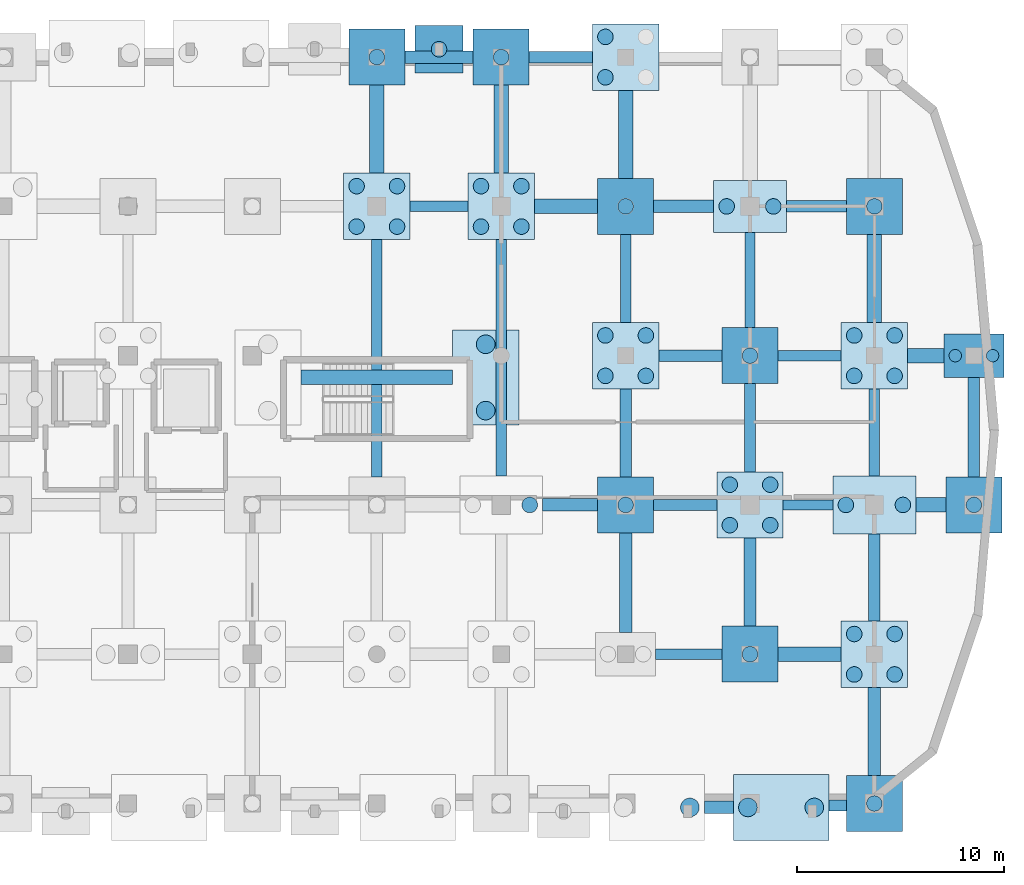
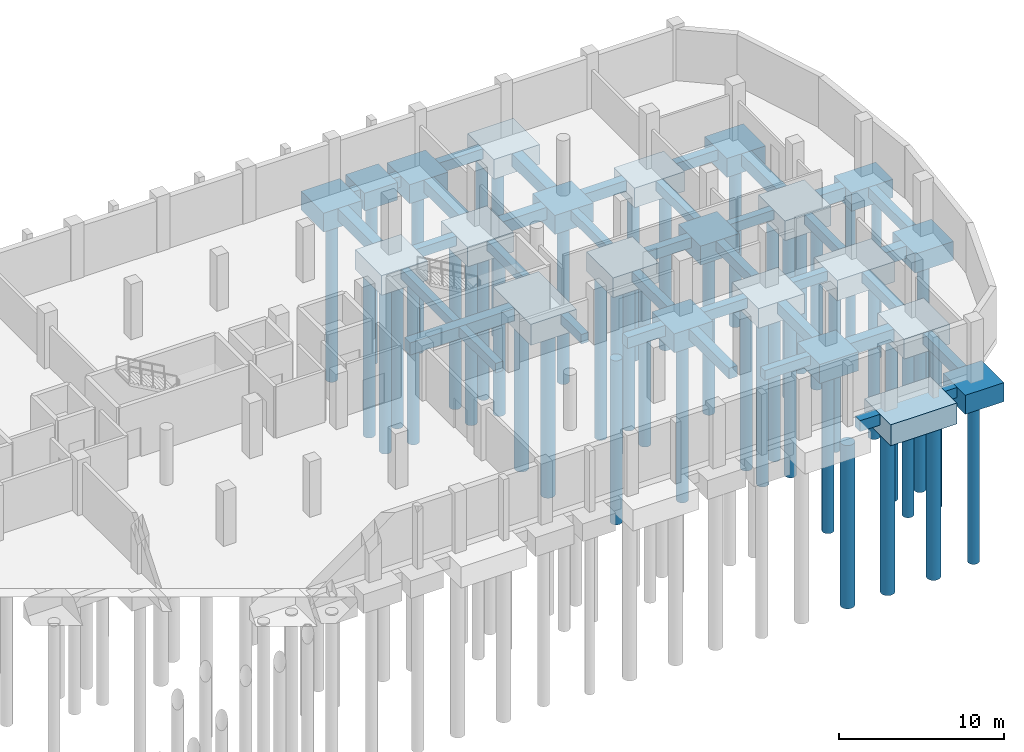
# One storey, part 4 of 11: 56 footings, 48 piles.
"""IFC4 building model written with IfcOpenShell, lengths in metres."""

from ifc_helpers import new_model, si_unit, direction, frame, origin, origin_2d, place, context, subcontext, project, spatial, rectangle, circle, extrude, material, material_profile, profile_set, type_object, element, save


model = new_model("IFC4")

# Units and contexts
model_context = context("Model", 3, precision=1e-05, world=origin(), true_north=direction((0.0, 1.0)))
body_context = subcontext(model_context, "Body", "Model", "MODEL_VIEW")
ifc_project = project(units=[si_unit("LENGTHUNIT", "METRE"), si_unit("AREAUNIT", "SQUARE_METRE"), si_unit("VOLUMEUNIT", "CUBIC_METRE"), si_unit("PLANEANGLEUNIT", "RADIAN"), si_unit("MASSUNIT", "GRAM", prefix="KILO")], contexts=[model_context])

# Site, building, storey
site_placement = place(None, origin())
site = spatial("IfcSite", under=ifc_project, at=site_placement, CompositionType="ELEMENT")
building_placement = place(site_placement, origin())
building = spatial("IfcBuilding", under=site, at=building_placement, Name="Dunvalen Ferry Terminal", CompositionType="ELEMENT")
storey_placement = place(building_placement, frame((0.0, 0.0, -4.080078125)))
storey = spatial("IfcBuildingStorey", under=building, at=storey_placement, Name="B1", CompositionType="ELEMENT", Elevation=-4.080078125)

# Footings
ifc_material = material(Name="Concrete C40/50", Category="concrete")
ifc_material_profile_1 = material_profile(ifc_material, rectangle(XDim=0.5, YDim=0.699951171875, at=origin_2d()), Name="Concrete C40/50")
ifc_profile_set_1 = profile_set([ifc_material_profile_1], Name="Concrete C40/50")
footing_type_1 = type_object("IfcFootingType", Name="STR-GB-500x700", PredefinedType="FOOTING_BEAM", material=ifc_profile_set_1)
footing_1_placement = place(storey_placement, frame((79.449951171875, 7.199951171875, -0.77001953125), z_axis=(1.0, 0.0, 0.0), x_axis=(0.0, 1.0, 0.0)))
element("IfcFooting", 1, at=footing_1_placement, inside=storey, type_object=footing_type_1, Name="B1 Ground Beam X-027", PredefinedType="FOOTING_BEAM", context=body_context, shape_type="SweptSolid", body=[
    extrude(rectangle(XDim=0.5, YDim=0.699951171875, at=origin_2d()), origin(), (0.0, 0.0, 1.0), 3.199951171875),
])
footing_2_placement = place(storey_placement, frame((85.60009765625, 14.39990234375, -0.77001953125), z_axis=(1.0, 0.0, 0.0), x_axis=(0.0, 1.0, 0.0)))
element("IfcFooting", 2, at=footing_2_placement, inside=storey, type_object=footing_type_1, Name="B1 Ground Beam X-043", PredefinedType="FOOTING_BEAM", context=body_context, shape_type="SweptSolid", body=[
    extrude(rectangle(XDim=0.5, YDim=0.699951171875, at=origin_2d()), origin(), (0.0, 0.0, 1.0), 2.39990234375),
])
footing_3_placement = place(storey_placement, frame((85.35009765625, 21.60009765625, -0.77001953125), z_axis=(1.0, 0.0, 0.0), x_axis=(0.0, 1.0, 0.0)))
element("IfcFooting", 3, at=footing_3_placement, inside=storey, type_object=footing_type_1, Name="B1 Ground Beam X-051", PredefinedType="FOOTING_BEAM", context=body_context, shape_type="SweptSolid", body=[
    extrude(rectangle(XDim=0.5, YDim=0.699951171875, at=origin_2d()), origin(), (0.0, 0.0, 1.0), 3.0498046875),
])
footing_4_placement = place(storey_placement, frame((67.60009765625, 28.800048828125, -0.77001953125), z_axis=(1.0, 0.0, 0.0), x_axis=(0.0, 1.0, 0.0)))
element("IfcFooting", 4, at=footing_4_placement, inside=storey, type_object=footing_type_1, Name="B1 Ground Beam X-063", PredefinedType="FOOTING_BEAM", context=body_context, shape_type="SweptSolid", body=[
    extrude(rectangle(XDim=0.5, YDim=0.699951171875, at=origin_2d()), origin(), (0.0, 0.0, 1.0), 2.7998046875),
])
footing_5_placement = place(storey_placement, frame((66.0, 15.75, -0.77001953125), z_axis=(0.0, 1.0, 0.0), x_axis=(-1.0, 0.0, 0.0)))
element("IfcFooting", 5, at=footing_5_placement, inside=storey, type_object=footing_type_1, Name="B1 Ground Beam Y-111", PredefinedType="FOOTING_BEAM", context=body_context, shape_type="SweptSolid", body=[
    extrude(rectangle(XDim=0.5, YDim=0.699951171875, at=origin_2d()), origin(), (0.0, 0.0, 1.0), 11.449951171875),
])
footing_6_placement = place(storey_placement, frame((72.0, 15.800048828125, -0.77001953125), z_axis=(0.0, 1.0, 0.0), x_axis=(-1.0, 0.0, 0.0)))
element("IfcFooting", 6, at=footing_6_placement, inside=storey, type_object=footing_type_1, Name="B1 Ground Beam Y-115", PredefinedType="FOOTING_BEAM", context=body_context, shape_type="SweptSolid", body=[
    extrude(rectangle(XDim=0.5, YDim=0.699951171875, at=origin_2d()), origin(), (0.0, 0.0, 1.0), 11.39990234375),
])
footing_7_placement = place(storey_placement, frame((78.0, 23.199951171875, -0.77001953125), z_axis=(0.0, 1.0, 0.0), x_axis=(-1.0, 0.0, 0.0)))
element("IfcFooting", 7, at=footing_7_placement, inside=storey, type_object=footing_type_1, Name="B1 Ground Beam Y-119", PredefinedType="FOOTING_BEAM", context=body_context, shape_type="SweptSolid", body=[
    extrude(rectangle(XDim=0.5, YDim=0.699951171875, at=origin_2d()), origin(), (0.0, 0.0, 1.0), 4.25),
])
footing_8_placement = place(storey_placement, frame((84.0, 22.949951171875, -0.77001953125), z_axis=(0.0, 1.0, 0.0), x_axis=(-1.0, 0.0, 0.0)))
element("IfcFooting", 8, at=footing_8_placement, inside=storey, type_object=footing_type_1, Name="B1 Ground Beam Y-123", PredefinedType="FOOTING_BEAM", context=body_context, shape_type="SweptSolid", body=[
    extrude(rectangle(XDim=0.5, YDim=0.699951171875, at=origin_2d()), origin(), (0.0, 0.0, 1.0), 4.60009765625),
])
footing_9_placement = place(storey_placement, frame((90.0, 15.800048828125, -0.77001953125), z_axis=(0.0, 1.0, 0.0), x_axis=(-1.0, 0.0, 0.0)))
element("IfcFooting", 9, at=footing_9_placement, inside=storey, type_object=footing_type_1, Name="B1 Ground Beam Y-127", PredefinedType="FOOTING_BEAM", context=body_context, shape_type="SweptSolid", body=[
    extrude(rectangle(XDim=0.5, YDim=0.699951171875, at=origin_2d()), origin(), (0.0, 0.0, 1.0), 4.199951171875),
])
ifc_material_profile_2 = material_profile(ifc_material, rectangle(XDim=0.550048828125, YDim=0.75, at=origin_2d()), Name="Concrete C40/50")
ifc_profile_set_2 = profile_set([ifc_material_profile_2], Name="Concrete C40/50")
footing_type_2 = type_object("IfcFootingType", Name="STR-GB-550x750", PredefinedType="FOOTING_BEAM", material=ifc_profile_set_2)
footing_10_placement = place(storey_placement, frame((87.800048828125, -0.094970703125, -0.794921875), z_axis=(1.0, 0.0, 0.0), x_axis=(0.0, 1.0, 0.0)))
element("IfcFooting", 10, at=footing_10_placement, inside=storey, type_object=footing_type_2, Name="B1 Ground Beam X-014", PredefinedType="FOOTING_BEAM", context=body_context, shape_type="SweptSolid", body=[
    extrude(rectangle(XDim=0.550048828125, YDim=0.75, at=origin_2d()), origin(), (0.0, 0.0, 1.0), 0.849853515625),
])
for number, where, z_axis, x_axis, name in (
    (11, (79.35009765625, 14.39990234375, -0.794921875), (1.0, 0.0, 0.0), (0.0, 1.0, 0.0), "B1 Ground Beam X-042"),
    (12, (79.60009765625, 21.60009765625, -0.794921875), (1.0, 0.0, 0.0), (0.0, 1.0, 0.0), "B1 Ground Beam X-050"),
):
    element("IfcFooting", number, at=place(storey_placement, frame(where, z_axis=z_axis, x_axis=x_axis)), inside=storey, type_object=footing_type_2, Name=name, PredefinedType="FOOTING_BEAM", context=body_context, shape_type="SweptSolid", body=[
        extrude(rectangle(XDim=0.550048828125, YDim=0.75, at=origin_2d()), origin(), (0.0, 0.0, 1.0), 3.0498046875),
    ])
footing_11_placement = place(storey_placement, frame((85.75, 28.800048828125, -0.794921875), z_axis=(1.0, 0.0, 0.0), x_axis=(0.0, 1.0, 0.0)))
element("IfcFooting", 13, at=footing_11_placement, inside=storey, type_object=footing_type_2, Name="B1 Ground Beam X-066", PredefinedType="FOOTING_BEAM", context=body_context, shape_type="SweptSolid", body=[
    extrude(rectangle(XDim=0.550048828125, YDim=0.75, at=origin_2d()), origin(), (0.0, 0.0, 1.0), 2.89990234375),
])
footing_12_placement = place(storey_placement, frame((73.35009765625, 36.0, -0.794921875), z_axis=(1.0, 0.0, 0.0), x_axis=(0.0, 1.0, 0.0)))
element("IfcFooting", 14, at=footing_12_placement, inside=storey, type_object=footing_type_2, Name="B1 Ground Beam X-078", PredefinedType="FOOTING_BEAM", context=body_context, shape_type="SweptSolid", body=[
    extrude(rectangle(XDim=0.550048828125, YDim=0.75, at=origin_2d()), origin(), (0.0, 0.0, 1.0), 3.0498046875),
])
for number, where, z_axis, x_axis, name in (
    (15, (78.0, 15.75, -0.794921875), (0.0, 1.0, 0.0), (-1.0, 0.0, 0.0), "B1 Ground Beam Y-118"),
    (16, (84.0, 16.0, -0.794921875), (0.0, 1.0, 0.0), (-1.0, 0.0, 0.0), "B1 Ground Beam Y-122"),
):
    element("IfcFooting", number, at=place(storey_placement, frame(where, z_axis=z_axis, x_axis=x_axis)), inside=storey, type_object=footing_type_2, Name=name, PredefinedType="FOOTING_BEAM", context=body_context, shape_type="SweptSolid", body=[
        extrude(rectangle(XDim=0.550048828125, YDim=0.75, at=origin_2d()), origin(), (0.0, 0.0, 1.0), 4.25),
    ])
footing_13_placement = place(storey_placement, frame((90.0, 8.800048828125, -0.794921875), z_axis=(0.0, 1.0, 0.0), x_axis=(-1.0, 0.0, 0.0)))
element("IfcFooting", 17, at=footing_13_placement, inside=storey, type_object=footing_type_2, Name="B1 Ground Beam Y-126", PredefinedType="FOOTING_BEAM", context=body_context, shape_type="SweptSolid", body=[
    extrude(rectangle(XDim=0.550048828125, YDim=0.75, at=origin_2d()), origin(), (0.0, 0.0, 1.0), 4.199951171875),
])
footing_14_placement = place(storey_placement, frame((94.800048828125, 15.75, -0.794921875), z_axis=(0.0, 1.0, 0.0), x_axis=(-1.0, 0.0, 0.0)))
element("IfcFooting", 18, at=footing_14_placement, inside=storey, type_object=footing_type_2, Name="B1 Ground Beam Y-130", PredefinedType="FOOTING_BEAM", context=body_context, shape_type="SweptSolid", body=[
    extrude(rectangle(XDim=0.550048828125, YDim=0.75, at=origin_2d()), origin(), (0.0, 0.0, 1.0), 4.800048828125),
])
ifc_material_profile_3 = material_profile(ifc_material, rectangle(XDim=0.60009765625, YDim=0.800048828125, at=origin_2d()), Name="Concrete C40/50")
ifc_profile_set_3 = profile_set([ifc_material_profile_3], Name="Concrete C40/50")
footing_type_3 = type_object("IfcFootingType", Name="STR-GB-600x800", PredefinedType="FOOTING_BEAM", material=ifc_profile_set_3)
footing_15_placement = place(storey_placement, frame((81.800048828125, -0.18994140625, -0.81982421875), z_axis=(1.0, 0.0, 0.0), x_axis=(0.0, 1.0, 0.0)))
element("IfcFooting", 19, at=footing_15_placement, inside=storey, type_object=footing_type_3, Name="B1 Ground Beam X-013", PredefinedType="FOOTING_BEAM", context=body_context, shape_type="SweptSolid", body=[
    extrude(rectangle(XDim=0.60009765625, YDim=0.800048828125, at=origin_2d()), origin(), (0.0, 0.0, 1.0), 1.39990234375),
])
footing_16_placement = place(storey_placement, frame((74.0, 14.39990234375, -0.81982421875), z_axis=(1.0, 0.0, 0.0), x_axis=(0.0, 1.0, 0.0)))
element("IfcFooting", 20, at=footing_16_placement, inside=storey, type_object=footing_type_3, Name="B1 Ground Beam X-041", PredefinedType="FOOTING_BEAM", context=body_context, shape_type="SweptSolid", body=[
    extrude(rectangle(XDim=0.60009765625, YDim=0.800048828125, at=origin_2d()), origin(), (0.0, 0.0, 1.0), 2.64990234375),
])
footing_17_placement = place(storey_placement, frame((79.35009765625, 28.800048828125, -0.81982421875), z_axis=(1.0, 0.0, 0.0), x_axis=(0.0, 1.0, 0.0)))
element("IfcFooting", 21, at=footing_17_placement, inside=storey, type_object=footing_type_3, Name="B1 Ground Beam X-065", PredefinedType="FOOTING_BEAM", context=body_context, shape_type="SweptSolid", body=[
    extrude(rectangle(XDim=0.60009765625, YDim=0.800048828125, at=origin_2d()), origin(), (0.0, 0.0, 1.0), 2.89990234375),
])
footing_18_placement = place(storey_placement, frame((67.35009765625, 36.0, -0.81982421875), z_axis=(1.0, 0.0, 0.0), x_axis=(0.0, 1.0, 0.0)))
element("IfcFooting", 22, at=footing_18_placement, inside=storey, type_object=footing_type_3, Name="B1 Ground Beam X-077", PredefinedType="FOOTING_BEAM", context=body_context, shape_type="SweptSolid", body=[
    extrude(rectangle(XDim=0.60009765625, YDim=0.800048828125, at=origin_2d()), origin(), (0.0, 0.0, 1.0), 3.2998046875),
])
footing_19_placement = place(storey_placement, frame((78.0, 8.25, -0.81982421875), z_axis=(0.0, 1.0, 0.0), x_axis=(-1.0, 0.0, 0.0)))
element("IfcFooting", 23, at=footing_19_placement, inside=storey, type_object=footing_type_3, Name="B1 Ground Beam Y-117", PredefinedType="FOOTING_BEAM", context=body_context, shape_type="SweptSolid", body=[
    extrude(rectangle(XDim=0.60009765625, YDim=0.800048828125, at=origin_2d()), origin(), (0.0, 0.0, 1.0), 4.800048828125),
])
for number, where, z_axis, x_axis, name in (
    (24, (84.0, 8.550048828125, -0.81982421875), (0.0, 1.0, 0.0), (-1.0, 0.0, 0.0), "B1 Ground Beam Y-121"),
    (25, (90.0, 1.35009765625, -0.81982421875), (0.0, 1.0, 0.0), (-1.0, 0.0, 0.0), "B1 Ground Beam Y-125"),
):
    element("IfcFooting", number, at=place(storey_placement, frame(where, z_axis=z_axis, x_axis=x_axis)), inside=storey, type_object=footing_type_3, Name=name, PredefinedType="FOOTING_BEAM", context=body_context, shape_type="SweptSolid", body=[
        extrude(rectangle(XDim=0.60009765625, YDim=0.800048828125, at=origin_2d()), origin(), (0.0, 0.0, 1.0), 4.25),
    ])
ifc_material_profile_4 = material_profile(ifc_material, rectangle(XDim=0.699951171875, YDim=0.89990234375, at=origin_2d()), Name="Concrete C40/50")
ifc_profile_set_4 = profile_set([ifc_material_profile_4], Name="Concrete C40/50")
footing_type_4 = type_object("IfcFootingType", Name="STR-GB-700x900", PredefinedType="FOOTING_BEAM", material=ifc_profile_set_4)
footing_20_placement = place(storey_placement, frame((85.35009765625, 7.199951171875, -0.869873046875), z_axis=(1.0, 0.0, 0.0), x_axis=(0.0, 1.0, 0.0)))
element("IfcFooting", 26, at=footing_20_placement, inside=storey, type_object=footing_type_4, Name="B1 Ground Beam X-028", PredefinedType="FOOTING_BEAM", context=body_context, shape_type="SweptSolid", body=[
    extrude(rectangle(XDim=0.699951171875, YDim=0.89990234375, at=origin_2d()), origin(), (0.0, 0.0, 1.0), 3.0498046875),
])
footing_21_placement = place(storey_placement, frame((92.0, 14.39990234375, -0.869873046875), z_axis=(1.0, 0.0, 0.0), x_axis=(0.0, 1.0, 0.0)))
element("IfcFooting", 27, at=footing_21_placement, inside=storey, type_object=footing_type_4, Name="B1 Ground Beam X-044", PredefinedType="FOOTING_BEAM", context=body_context, shape_type="SweptSolid", body=[
    extrude(rectangle(XDim=0.699951171875, YDim=0.89990234375, at=origin_2d()), origin(), (0.0, 0.0, 1.0), 1.449951171875),
])
footing_22_placement = place(storey_placement, frame((62.35009765625, 20.550048828125, -0.869873046875), z_axis=(1.0, 0.0, 0.0), x_axis=(0.0, 1.0, 0.0)))
element("IfcFooting", 28, at=footing_22_placement, inside=storey, type_object=footing_type_4, Name="B1 Ground Beam X-048", PredefinedType="FOOTING_BEAM", context=body_context, shape_type="SweptSolid", body=[
    extrude(rectangle(XDim=0.699951171875, YDim=0.89990234375, at=origin_2d()), origin(), (0.0, 0.0, 1.0), 7.2998046875),
])
footing_23_placement = place(storey_placement, frame((91.60009765625, 21.60009765625, -0.869873046875), z_axis=(1.0, 0.0, 0.0), x_axis=(0.0, 1.0, 0.0)))
element("IfcFooting", 29, at=footing_23_placement, inside=storey, type_object=footing_type_4, Name="B1 Ground Beam X-052", PredefinedType="FOOTING_BEAM", context=body_context, shape_type="SweptSolid", body=[
    extrude(rectangle(XDim=0.699951171875, YDim=0.89990234375, at=origin_2d()), origin(), (0.0, 0.0, 1.0), 1.75),
])
footing_24_placement = place(storey_placement, frame((73.60009765625, 28.800048828125, -0.869873046875), z_axis=(1.0, 0.0, 0.0), x_axis=(0.0, 1.0, 0.0)))
element("IfcFooting", 30, at=footing_24_placement, inside=storey, type_object=footing_type_4, Name="B1 Ground Beam X-064", PredefinedType="FOOTING_BEAM", context=body_context, shape_type="SweptSolid", body=[
    extrude(rectangle(XDim=0.699951171875, YDim=0.89990234375, at=origin_2d()), origin(), (0.0, 0.0, 1.0), 3.0498046875),
])
for number, where, z_axis, x_axis, name in (
    (31, (66.0, 30.39990234375, -0.869873046875), (0.0, 1.0, 0.0), (-1.0, 0.0, 0.0), "B1 Ground Beam Y-112"),
    (32, (72.0, 30.39990234375, -0.869873046875), (0.0, 1.0, 0.0), (-1.0, 0.0, 0.0), "B1 Ground Beam Y-116"),
    (33, (78.0, 30.14990234375, -0.869873046875), (0.0, 1.0, 0.0), (-1.0, 0.0, 0.0), "B1 Ground Beam Y-120"),
    (34, (90.0, 23.199951171875, -0.869873046875), (0.0, 1.0, 0.0), (-1.0, 0.0, 0.0), "B1 Ground Beam Y-128"),
):
    element("IfcFooting", number, at=place(storey_placement, frame(where, z_axis=z_axis, x_axis=x_axis)), inside=storey, type_object=footing_type_4, Name=name, PredefinedType="FOOTING_BEAM", context=body_context, shape_type="SweptSolid", body=[
        extrude(rectangle(XDim=0.699951171875, YDim=0.89990234375, at=origin_2d()), origin(), (0.0, 0.0, 1.0), 4.25),
    ])
footing_type_5 = type_object("IfcFootingType", Name="STR-PC-04", PredefinedType="PILE_CAP", material=ifc_material)
footing_25_placement = place(storey_placement, frame((69.0, 36.3798828125, -1.7197265625), z_axis=(0.0, 0.0, 1.0), x_axis=(1.0, 0.0, 0.0)))
element("IfcFooting", 35, at=footing_25_placement, inside=storey, type_object=footing_type_5, Name="B1 Pile Cap 075", PredefinedType="PILE_CAP", context=body_context, shape_type="SweptSolid", body=[
    extrude(rectangle(XDim=2.300048828125, YDim=2.300048828125, at=origin_2d()), origin(), (0.0, 0.0, 1.0), 1.300048828125),
])
footing_type_6 = type_object("IfcFootingType", Name="STR-PC-06", PredefinedType="PILE_CAP", material=ifc_material)
for number, where, z_axis, x_axis, name in (
    (36, (66.0, 36.0, -1.81982421875), (0.0, 0.0, 1.0), (1.0, 0.0, 0.0), "B1 Pile Cap 074"),
    (37, (72.0, 36.0, -1.81982421875), (0.0, 0.0, 1.0), (1.0, 0.0, 0.0), "B1 Pile Cap 081"),
    (38, (78.0, 14.39990234375, -1.81982421875), (0.0, 0.0, 1.0), (1.0, 0.0, 0.0), "B1 Pile Cap 085"),
    (39, (78.0, 28.800048828125, -1.81982421875), (0.0, 0.0, 1.0), (1.0, 0.0, 0.0), "B1 Pile Cap 087"),
    (40, (84.0, 7.199951171875, -1.81982421875), (0.0, 0.0, 1.0), (1.0, 0.0, 0.0), "B1 Pile Cap 090"),
    (41, (84.0, 21.60009765625, -1.81982421875), (0.0, 0.0, 1.0), (1.0, 0.0, 0.0), "B1 Pile Cap 092"),
    (42, (90.0, 0.0, -1.81982421875), (0.0, 0.0, 1.0), (1.0, 0.0, 0.0), "B1 Pile Cap 095"),
    (43, (90.0, 28.800048828125, -1.81982421875), (0.0, 0.0, 1.0), (1.0, 0.0, 0.0), "B1 Pile Cap 099"),
    (44, (94.800048828125, 14.39990234375, -1.81982421875), (0.0, 0.0, 1.0), (1.0, 0.0, 0.0), "B1 Pile Cap 101"),
):
    element("IfcFooting", number, at=place(storey_placement, frame(where, z_axis=z_axis, x_axis=x_axis)), inside=storey, type_object=footing_type_6, Name=name, PredefinedType="PILE_CAP", context=body_context, shape_type="SweptSolid", body=[
        extrude(rectangle(XDim=2.699951171875, YDim=2.699951171875, at=origin_2d()), origin(), (0.0, 0.0, 1.0), 1.39990234375),
    ])
footing_type_7 = type_object("IfcFootingType", Name="STR-PC-07", PredefinedType="PILE_CAP", material=ifc_material)
footing_26_placement = place(storey_placement, frame((94.800048828125, 21.60009765625, -1.77001953125), z_axis=(0.0, 0.0, 1.0), x_axis=(1.0, 0.0, 0.0)))
element("IfcFooting", 45, at=footing_26_placement, inside=storey, type_object=footing_type_7, Name="B1 Pile Cap 102", PredefinedType="PILE_CAP", context=body_context, shape_type="SweptSolid", body=[
    extrude(rectangle(XDim=2.89990234375, YDim=2.10009765625, at=origin_2d()), origin(), (0.0, 0.0, 1.0), 1.35009765625),
])
footing_type_8 = type_object("IfcFootingType", Name="STR-PC-09", PredefinedType="PILE_CAP", material=ifc_material)
for number, where, z_axis, x_axis, name in (
    (46, (66.0, 28.800048828125, -1.8701171875), (0.0, 0.0, 1.0), (1.0, 0.0, 0.0), "B1 Pile Cap 073"),
    (47, (72.0, 28.800048828125, -1.8701171875), (0.0, 0.0, 1.0), (1.0, 0.0, 0.0), "B1 Pile Cap 080"),
    (48, (78.0, 21.60009765625, -1.8701171875), (0.0, 0.0, 1.0), (1.0, 0.0, 0.0), "B1 Pile Cap 086"),
    (49, (78.0, 36.0, -1.8701171875), (0.0, 0.0, 1.0), (1.0, 0.0, 0.0), "B1 Pile Cap 088"),
    (50, (84.0, 14.39990234375, -1.8701171875), (0.0, 0.0, 1.0), (1.0, 0.0, 0.0), "B1 Pile Cap 091"),
    (51, (90.0, 7.199951171875, -1.8701171875), (0.0, 0.0, 1.0), (1.0, 0.0, 0.0), "B1 Pile Cap 096"),
    (52, (90.0, 21.60009765625, -1.8701171875), (0.0, 0.0, 1.0), (1.0, 0.0, 0.0), "B1 Pile Cap 098"),
):
    element("IfcFooting", number, at=place(storey_placement, frame(where, z_axis=z_axis, x_axis=x_axis)), inside=storey, type_object=footing_type_8, Name=name, PredefinedType="PILE_CAP", context=body_context, shape_type="SweptSolid", body=[
        extrude(rectangle(XDim=3.199951171875, YDim=3.199951171875, at=origin_2d()), origin(), (0.0, 0.0, 1.0), 1.449951171875),
    ])
footing_type_9 = type_object("IfcFootingType", Name="STR-PC-10", PredefinedType="PILE_CAP", material=ifc_material)
footing_27_placement = place(storey_placement, frame((84.0, 28.800048828125, -1.8701171875), z_axis=(0.0, 0.0, 1.0), x_axis=(1.0, 0.0, 0.0)))
element("IfcFooting", 53, at=footing_27_placement, inside=storey, type_object=footing_type_9, Name="B1 Pile Cap 093", PredefinedType="PILE_CAP", context=body_context, shape_type="SweptSolid", body=[
    extrude(rectangle(XDim=3.5, YDim=2.5, at=origin_2d()), origin(), (0.0, 0.0, 1.0), 1.449951171875),
])
footing_type_10 = type_object("IfcFootingType", Name="STR-PC-12", PredefinedType="PILE_CAP", material=ifc_material)
footing_28_placement = place(storey_placement, frame((90.0, 14.39990234375, -1.919921875), z_axis=(0.0, 0.0, 1.0), x_axis=(1.0, 0.0, 0.0)))
element("IfcFooting", 54, at=footing_28_placement, inside=storey, type_object=footing_type_10, Name="B1 Pile Cap 097", PredefinedType="PILE_CAP", context=body_context, shape_type="SweptSolid", body=[
    extrude(rectangle(XDim=4.0, YDim=2.800048828125, at=origin_2d()), origin(), (0.0, 0.0, 1.0), 1.5),
])
footing_type_11 = type_object("IfcFootingType", Name="STR-PC-14", PredefinedType="PILE_CAP", material=ifc_material)
for number, where, z_axis, x_axis, name in (
    (55, (71.25, 20.550048828125, -1.9697265625), (0.0, 0.0, 1.0), (0.0, 1.0, 0.0), "B1 Pile Cap 076"),
    (56, (85.5, -0.18994140625, -1.9697265625), (0.0, 0.0, 1.0), (1.0, 0.0, 0.0), "B1 Pile Cap 089"),
):
    element("IfcFooting", number, at=place(storey_placement, frame(where, z_axis=z_axis, x_axis=x_axis)), inside=storey, type_object=footing_type_11, Name=name, PredefinedType="PILE_CAP", context=body_context, shape_type="SweptSolid", body=[
        extrude(rectangle(XDim=4.60009765625, YDim=3.199951171875, at=origin_2d()), origin(), (0.0, 0.0, 1.0), 1.550048828125),
    ])

# Piles
ifc_material_profile_5 = material_profile(ifc_material, circle(Radius=0.300048828125, at=origin_2d()), Name="Concrete C40/50")
ifc_profile_set_5 = profile_set([ifc_material_profile_5], Name="Concrete C40/50")
pile_type_1 = type_object("IfcPileType", Name="STR-PILE-P600", PredefinedType="BORED", material=ifc_profile_set_5)
for number, where, z_axis, x_axis, name in (
    (57, (93.89990234375, 21.60009765625, -1.669921875), (0.0, 0.0, -1.0), (1.0, 0.0, 0.0), "B1 Bored Pile 102.1"),
    (58, (95.699951171875, 21.60009765625, -1.669921875), (0.0, 0.0, -1.0), (1.0, 0.0, 0.0), "B1 Bored Pile 102.2"),
):
    element("IfcPile", number, at=place(storey_placement, frame(where, z_axis=z_axis, x_axis=x_axis)), inside=storey, type_object=pile_type_1, Name=name, PredefinedType="BORED", context=body_context, shape_type="SweptSolid", body=[
        extrude(circle(Radius=0.300048828125, at=origin_2d()), origin(), (0.0, 0.0, 1.0), 12.25),
    ])
ifc_material_profile_6 = material_profile(ifc_material, circle(Radius=0.375, at=origin_2d()), Name="Concrete C40/50")
ifc_profile_set_6 = profile_set([ifc_material_profile_6], Name="Concrete C40/50")
pile_type_2 = type_object("IfcPileType", Name="STR-PILE-P750", PredefinedType="BORED", material=ifc_profile_set_6)
for number, where, z_axis, x_axis, name in (
    (59, (65.02490234375, 27.824951171875, -1.77001953125), (0.0, 0.0, -1.0), (1.0, 0.0, 0.0), "B1 Bored Pile 073.1"),
    (60, (66.97509765625, 27.824951171875, -1.77001953125), (0.0, 0.0, -1.0), (1.0, 0.0, 0.0), "B1 Bored Pile 073.2"),
    (61, (65.02490234375, 29.77490234375, -1.77001953125), (0.0, 0.0, -1.0), (1.0, 0.0, 0.0), "B1 Bored Pile 073.3"),
    (62, (66.97509765625, 29.77490234375, -1.77001953125), (0.0, 0.0, -1.0), (1.0, 0.0, 0.0), "B1 Bored Pile 073.4"),
):
    element("IfcPile", number, at=place(storey_placement, frame(where, z_axis=z_axis, x_axis=x_axis)), inside=storey, type_object=pile_type_2, Name=name, PredefinedType="BORED", context=body_context, shape_type="SweptSolid", body=[
        extrude(circle(Radius=0.375, at=origin_2d()), origin(), (0.0, 0.0, 1.0), 12.14990234375),
    ])
pile_1_placement = place(storey_placement, frame((66.0, 36.0, -1.719970703125), z_axis=(0.0, 0.0, -1.0), x_axis=(1.0, 0.0, 0.0)))
element("IfcPile", 63, at=pile_1_placement, inside=storey, type_object=pile_type_2, Name="B1 Bored Pile 074.1", PredefinedType="BORED", context=body_context, shape_type="SweptSolid", body=[
    extrude(circle(Radius=0.375, at=origin_2d()), origin(), (0.0, 0.0, 1.0), 12.199951171875),
])
pile_2_placement = place(storey_placement, frame((69.0, 36.3798828125, -1.619873046875), z_axis=(0.0, 0.0, -1.0), x_axis=(1.0, 0.0, 0.0)))
element("IfcPile", 64, at=pile_2_placement, inside=storey, type_object=pile_type_2, Name="B1 Bored Pile 075.1", PredefinedType="BORED", context=body_context, shape_type="SweptSolid", body=[
    extrude(circle(Radius=0.375, at=origin_2d()), origin(), (0.0, 0.0, 1.0), 12.300048828125),
])
pile_3_placement = place(storey_placement, frame((73.375, 14.39990234375, -1.81982421875), z_axis=(0.0, 0.0, -1.0), x_axis=(1.0, 0.0, 0.0)))
element("IfcPile", 65, at=pile_3_placement, inside=storey, type_object=pile_type_2, Name="B1 Bored Pile 079.2", PredefinedType="BORED", context=body_context, shape_type="SweptSolid", body=[
    extrude(circle(Radius=0.375, at=origin_2d()), origin(), (0.0, 0.0, 1.0), 12.10009765625),
])
for number, where, z_axis, x_axis, name in (
    (66, (71.02490234375, 27.824951171875, -1.77001953125), (0.0, 0.0, -1.0), (1.0, 0.0, 0.0), "B1 Bored Pile 080.1"),
    (67, (72.97509765625, 27.824951171875, -1.77001953125), (0.0, 0.0, -1.0), (1.0, 0.0, 0.0), "B1 Bored Pile 080.2"),
    (68, (71.02490234375, 29.77490234375, -1.77001953125), (0.0, 0.0, -1.0), (1.0, 0.0, 0.0), "B1 Bored Pile 080.3"),
    (69, (72.97509765625, 29.77490234375, -1.77001953125), (0.0, 0.0, -1.0), (1.0, 0.0, 0.0), "B1 Bored Pile 080.4"),
):
    element("IfcPile", number, at=place(storey_placement, frame(where, z_axis=z_axis, x_axis=x_axis)), inside=storey, type_object=pile_type_2, Name=name, PredefinedType="BORED", context=body_context, shape_type="SweptSolid", body=[
        extrude(circle(Radius=0.375, at=origin_2d()), origin(), (0.0, 0.0, 1.0), 12.14990234375),
    ])
for number, where, z_axis, x_axis, name in (
    (70, (72.0, 36.0, -1.719970703125), (0.0, 0.0, -1.0), (1.0, 0.0, 0.0), "B1 Bored Pile 081.1"),
    (71, (78.0, 14.39990234375, -1.719970703125), (0.0, 0.0, -1.0), (1.0, 0.0, 0.0), "B1 Bored Pile 085.1"),
):
    element("IfcPile", number, at=place(storey_placement, frame(where, z_axis=z_axis, x_axis=x_axis)), inside=storey, type_object=pile_type_2, Name=name, PredefinedType="BORED", context=body_context, shape_type="SweptSolid", body=[
        extrude(circle(Radius=0.375, at=origin_2d()), origin(), (0.0, 0.0, 1.0), 12.199951171875),
    ])
for number, where, z_axis, x_axis, name in (
    (72, (77.02490234375, 20.625, -1.77001953125), (0.0, 0.0, -1.0), (1.0, 0.0, 0.0), "B1 Bored Pile 086.1"),
    (73, (78.97509765625, 20.625, -1.77001953125), (0.0, 0.0, -1.0), (1.0, 0.0, 0.0), "B1 Bored Pile 086.2"),
    (74, (77.02490234375, 22.574951171875, -1.77001953125), (0.0, 0.0, -1.0), (1.0, 0.0, 0.0), "B1 Bored Pile 086.3"),
    (75, (78.97509765625, 22.574951171875, -1.77001953125), (0.0, 0.0, -1.0), (1.0, 0.0, 0.0), "B1 Bored Pile 086.4"),
):
    element("IfcPile", number, at=place(storey_placement, frame(where, z_axis=z_axis, x_axis=x_axis)), inside=storey, type_object=pile_type_2, Name=name, PredefinedType="BORED", context=body_context, shape_type="SweptSolid", body=[
        extrude(circle(Radius=0.375, at=origin_2d()), origin(), (0.0, 0.0, 1.0), 12.14990234375),
    ])
pile_4_placement = place(storey_placement, frame((78.0, 28.800048828125, -1.719970703125), z_axis=(0.0, 0.0, -1.0), x_axis=(1.0, 0.0, 0.0)))
element("IfcPile", 76, at=pile_4_placement, inside=storey, type_object=pile_type_2, Name="B1 Bored Pile 087.1", PredefinedType="BORED", context=body_context, shape_type="SweptSolid", body=[
    extrude(circle(Radius=0.375, at=origin_2d()), origin(), (0.0, 0.0, 1.0), 12.199951171875),
])
for number, where, z_axis, x_axis, name in (
    (77, (77.02490234375, 35.02490234375, -1.77001953125), (0.0, 0.0, -1.0), (1.0, 0.0, 0.0), "B1 Bored Pile 088.1"),
    (78, (77.02490234375, 36.97509765625, -1.77001953125), (0.0, 0.0, -1.0), (1.0, 0.0, 0.0), "B1 Bored Pile 088.3"),
):
    element("IfcPile", number, at=place(storey_placement, frame(where, z_axis=z_axis, x_axis=x_axis)), inside=storey, type_object=pile_type_2, Name=name, PredefinedType="BORED", context=body_context, shape_type="SweptSolid", body=[
        extrude(circle(Radius=0.375, at=origin_2d()), origin(), (0.0, 0.0, 1.0), 12.14990234375),
    ])
pile_5_placement = place(storey_placement, frame((84.0, 7.199951171875, -1.719970703125), z_axis=(0.0, 0.0, -1.0), x_axis=(1.0, 0.0, 0.0)))
element("IfcPile", 79, at=pile_5_placement, inside=storey, type_object=pile_type_2, Name="B1 Bored Pile 090.1", PredefinedType="BORED", context=body_context, shape_type="SweptSolid", body=[
    extrude(circle(Radius=0.375, at=origin_2d()), origin(), (0.0, 0.0, 1.0), 12.199951171875),
])
for number, where, z_axis, x_axis, name in (
    (80, (83.02490234375, 13.425048828125, -1.77001953125), (0.0, 0.0, -1.0), (1.0, 0.0, 0.0), "B1 Bored Pile 091.1"),
    (81, (84.97509765625, 13.425048828125, -1.77001953125), (0.0, 0.0, -1.0), (1.0, 0.0, 0.0), "B1 Bored Pile 091.2"),
    (82, (83.02490234375, 15.375, -1.77001953125), (0.0, 0.0, -1.0), (1.0, 0.0, 0.0), "B1 Bored Pile 091.3"),
    (83, (84.97509765625, 15.375, -1.77001953125), (0.0, 0.0, -1.0), (1.0, 0.0, 0.0), "B1 Bored Pile 091.4"),
):
    element("IfcPile", number, at=place(storey_placement, frame(where, z_axis=z_axis, x_axis=x_axis)), inside=storey, type_object=pile_type_2, Name=name, PredefinedType="BORED", context=body_context, shape_type="SweptSolid", body=[
        extrude(circle(Radius=0.375, at=origin_2d()), origin(), (0.0, 0.0, 1.0), 12.14990234375),
    ])
pile_6_placement = place(storey_placement, frame((84.0, 21.60009765625, -1.719970703125), z_axis=(0.0, 0.0, -1.0), x_axis=(1.0, 0.0, 0.0)))
element("IfcPile", 84, at=pile_6_placement, inside=storey, type_object=pile_type_2, Name="B1 Bored Pile 092.1", PredefinedType="BORED", context=body_context, shape_type="SweptSolid", body=[
    extrude(circle(Radius=0.375, at=origin_2d()), origin(), (0.0, 0.0, 1.0), 12.199951171875),
])
for number, where, z_axis, x_axis, name in (
    (85, (82.875, 28.800048828125, -1.77001953125), (0.0, 0.0, -1.0), (1.0, 0.0, 0.0), "B1 Bored Pile 093.1"),
    (86, (85.125, 28.800048828125, -1.77001953125), (0.0, 0.0, -1.0), (1.0, 0.0, 0.0), "B1 Bored Pile 093.2"),
):
    element("IfcPile", number, at=place(storey_placement, frame(where, z_axis=z_axis, x_axis=x_axis)), inside=storey, type_object=pile_type_2, Name=name, PredefinedType="BORED", context=body_context, shape_type="SweptSolid", body=[
        extrude(circle(Radius=0.375, at=origin_2d()), origin(), (0.0, 0.0, 1.0), 12.14990234375),
    ])
pile_7_placement = place(storey_placement, frame((90.0, 0.0, -1.719970703125), z_axis=(0.0, 0.0, -1.0), x_axis=(1.0, 0.0, 0.0)))
element("IfcPile", 87, at=pile_7_placement, inside=storey, type_object=pile_type_2, Name="B1 Bored Pile 095.1", PredefinedType="BORED", context=body_context, shape_type="SweptSolid", body=[
    extrude(circle(Radius=0.375, at=origin_2d()), origin(), (0.0, 0.0, 1.0), 12.199951171875),
])
for number, where, z_axis, x_axis, name in (
    (88, (89.02490234375, 6.22509765625, -1.77001953125), (0.0, 0.0, -1.0), (1.0, 0.0, 0.0), "B1 Bored Pile 096.1"),
    (89, (90.97509765625, 6.22509765625, -1.77001953125), (0.0, 0.0, -1.0), (1.0, 0.0, 0.0), "B1 Bored Pile 096.2"),
    (90, (89.02490234375, 8.175048828125, -1.77001953125), (0.0, 0.0, -1.0), (1.0, 0.0, 0.0), "B1 Bored Pile 096.3"),
    (91, (90.97509765625, 8.175048828125, -1.77001953125), (0.0, 0.0, -1.0), (1.0, 0.0, 0.0), "B1 Bored Pile 096.4"),
):
    element("IfcPile", number, at=place(storey_placement, frame(where, z_axis=z_axis, x_axis=x_axis)), inside=storey, type_object=pile_type_2, Name=name, PredefinedType="BORED", context=body_context, shape_type="SweptSolid", body=[
        extrude(circle(Radius=0.375, at=origin_2d()), origin(), (0.0, 0.0, 1.0), 12.14990234375),
    ])
for number, where, z_axis, x_axis, name in (
    (92, (88.625, 14.39990234375, -1.81982421875), (0.0, 0.0, -1.0), (1.0, 0.0, 0.0), "B1 Bored Pile 097.1"),
    (93, (91.375, 14.39990234375, -1.81982421875), (0.0, 0.0, -1.0), (1.0, 0.0, 0.0), "B1 Bored Pile 097.2"),
):
    element("IfcPile", number, at=place(storey_placement, frame(where, z_axis=z_axis, x_axis=x_axis)), inside=storey, type_object=pile_type_2, Name=name, PredefinedType="BORED", context=body_context, shape_type="SweptSolid", body=[
        extrude(circle(Radius=0.375, at=origin_2d()), origin(), (0.0, 0.0, 1.0), 12.10009765625),
    ])
for number, where, z_axis, x_axis, name in (
    (94, (89.02490234375, 20.625, -1.77001953125), (0.0, 0.0, -1.0), (1.0, 0.0, 0.0), "B1 Bored Pile 098.1"),
    (95, (90.97509765625, 20.625, -1.77001953125), (0.0, 0.0, -1.0), (1.0, 0.0, 0.0), "B1 Bored Pile 098.2"),
    (96, (89.02490234375, 22.574951171875, -1.77001953125), (0.0, 0.0, -1.0), (1.0, 0.0, 0.0), "B1 Bored Pile 098.3"),
    (97, (90.97509765625, 22.574951171875, -1.77001953125), (0.0, 0.0, -1.0), (1.0, 0.0, 0.0), "B1 Bored Pile 098.4"),
):
    element("IfcPile", number, at=place(storey_placement, frame(where, z_axis=z_axis, x_axis=x_axis)), inside=storey, type_object=pile_type_2, Name=name, PredefinedType="BORED", context=body_context, shape_type="SweptSolid", body=[
        extrude(circle(Radius=0.375, at=origin_2d()), origin(), (0.0, 0.0, 1.0), 12.14990234375),
    ])
for number, where, z_axis, x_axis, name in (
    (98, (90.0, 28.800048828125, -1.719970703125), (0.0, 0.0, -1.0), (1.0, 0.0, 0.0), "B1 Bored Pile 099.1"),
    (99, (94.800048828125, 14.39990234375, -1.719970703125), (0.0, 0.0, -1.0), (1.0, 0.0, 0.0), "B1 Bored Pile 101.1"),
):
    element("IfcPile", number, at=place(storey_placement, frame(where, z_axis=z_axis, x_axis=x_axis)), inside=storey, type_object=pile_type_2, Name=name, PredefinedType="BORED", context=body_context, shape_type="SweptSolid", body=[
        extrude(circle(Radius=0.375, at=origin_2d()), origin(), (0.0, 0.0, 1.0), 12.199951171875),
    ])
ifc_material_profile_7 = material_profile(ifc_material, circle(Radius=0.449951171875, at=origin_2d()), Name="Concrete C40/50")
ifc_profile_set_7 = profile_set([ifc_material_profile_7], Name="Concrete C40/50")
pile_type_3 = type_object("IfcPileType", Name="STR-PILE-P900", PredefinedType="BORED", material=ifc_profile_set_7)
for number, where, z_axis, x_axis, name in (
    (100, (71.25, 18.949951171875, -1.869873046875), (0.0, 0.0, -1.0), (1.0, 0.0, 0.0), "B1 Bored Pile 076.1"),
    (101, (71.25, 22.14990234375, -1.869873046875), (0.0, 0.0, -1.0), (1.0, 0.0, 0.0), "B1 Bored Pile 076.2"),
    (102, (81.10009765625, -0.18994140625, -1.869873046875), (0.0, 0.0, -1.0), (1.0, 0.0, 0.0), "B1 Bored Pile 083.2"),
    (103, (83.89990234375, -0.18994140625, -1.869873046875), (0.0, 0.0, -1.0), (1.0, 0.0, 0.0), "B1 Bored Pile 089.1"),
    (104, (87.10009765625, -0.18994140625, -1.869873046875), (0.0, 0.0, -1.0), (1.0, 0.0, 0.0), "B1 Bored Pile 089.2"),
):
    element("IfcPile", number, at=place(storey_placement, frame(where, z_axis=z_axis, x_axis=x_axis)), inside=storey, type_object=pile_type_3, Name=name, PredefinedType="BORED", context=body_context, shape_type="SweptSolid", body=[
        extrude(circle(Radius=0.449951171875, at=origin_2d()), origin(), (0.0, 0.0, 1.0), 12.050048828125),
    ])

save(model, "model.ifc")
